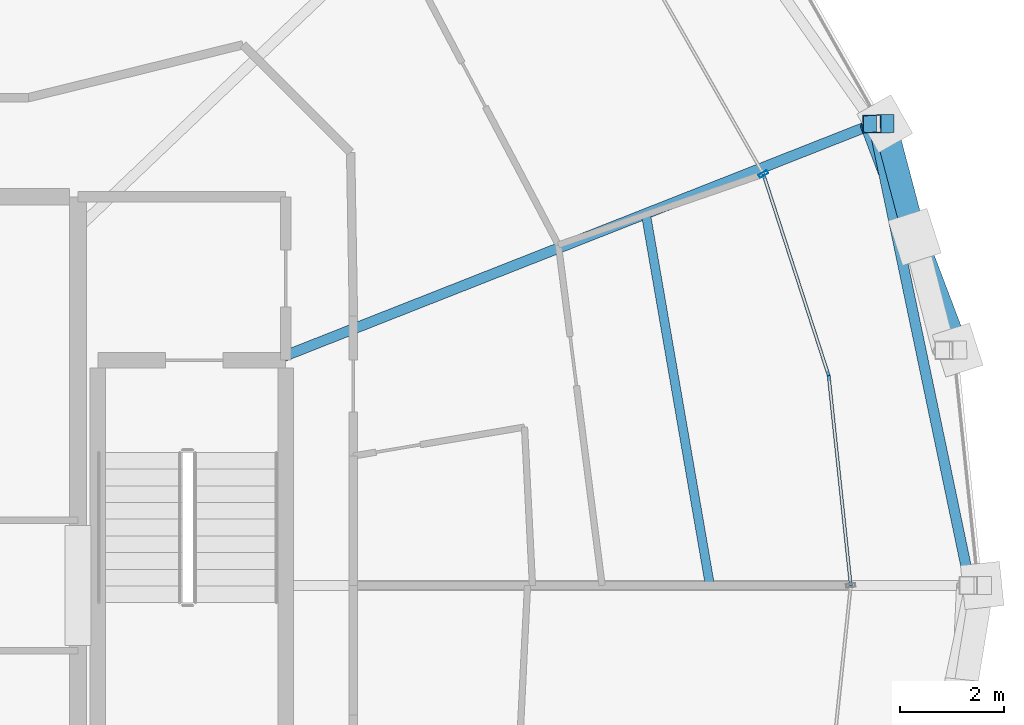
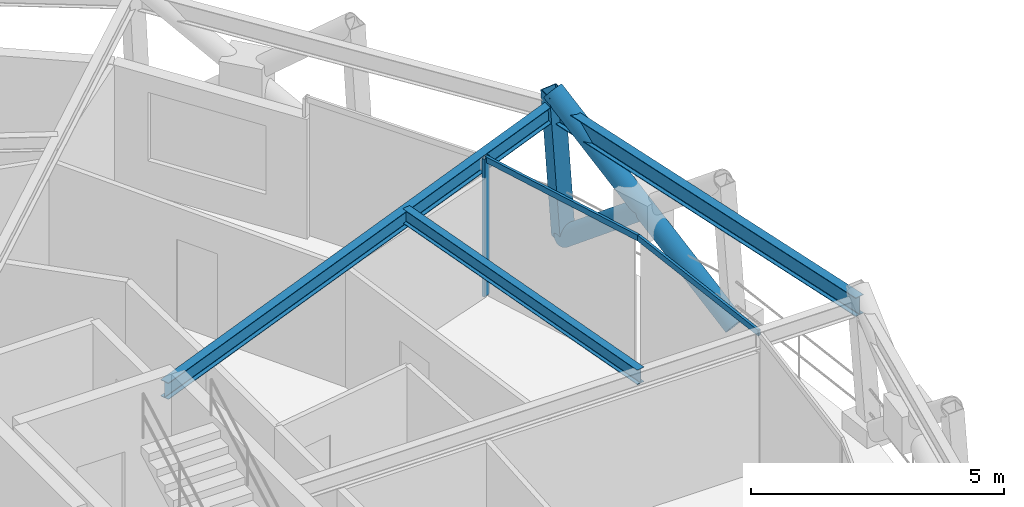
# One storey, part 7 of 17: 6 members, 3 beams, 1 element without a shape of its own.
"""IFC4 building model written with IfcOpenShell, lengths in metres."""

from ifc_helpers import new_model, si_unit, direction, frame, origin, origin_2d, place, context, subcontext, project, spatial, hollow_rectangle, hollow_circle, i_section, extrude, material, layer, layer_set, material_profile, profile_set, type_object, element, aggregate, save


model = new_model("IFC4")

# Units and contexts
model_context = context("Model", 3, precision=1e-05, world=origin(), true_north=direction((0.0, 1.0)))
body_context = subcontext(model_context, "Body", "Model", "MODEL_VIEW")
ifc_project = project(units=[si_unit("LENGTHUNIT", "METRE"), si_unit("AREAUNIT", "SQUARE_METRE"), si_unit("VOLUMEUNIT", "CUBIC_METRE"), si_unit("PLANEANGLEUNIT", "RADIAN"), si_unit("MASSUNIT", "GRAM", prefix="KILO")], contexts=[model_context])

# Site, building, storey
site_placement = place(None, origin())
site = spatial("IfcSite", under=ifc_project, at=site_placement, CompositionType="ELEMENT")
building_placement = place(site_placement, origin())
building = spatial("IfcBuilding", under=site, at=building_placement, Name="Veldorina Hangang Commons", CompositionType="ELEMENT")
storey_placement = place(building_placement, frame((0.0, 0.0, 229.199951171875)))
storey = spatial("IfcBuildingStorey", under=building, at=storey_placement, Name="L59", CompositionType="ELEMENT", Elevation=229.199951171875)

# Beams
ifc_material_1 = material(Name="Steel SM355-TMC", Category="steel")
ifc_material_profile_1 = material_profile(ifc_material_1, i_section(OverallWidth=0.199951171875, OverallDepth=0.39990234375, WebThickness=0.008056640625, FlangeThickness=0.012939453125, FilletRadius=0.012939453125, at=origin_2d()), Name="H-400x200x8x13")
ifc_profile_set_1 = profile_set([ifc_material_profile_1], Name="Steel SM355-TMC")
beam_type_1 = type_object("IfcBeamType", Name="BM-FG400", PredefinedType="BEAM", material=ifc_profile_set_1)
beam_1_placement = place(storey_placement, frame((42.9619140625, 28.320068359375, 3.16015625), z_axis=(0.93036119045, 0.366644317159, 0.0), x_axis=(-0.366644317159, 0.93036119045, 0.0)))
element("IfcBeam", 1, at=beam_1_placement, inside=storey, type_object=beam_type_1, Name="L59 radial floor girder 02", PredefinedType="BEAM", context=body_context, shape_type="SweptSolid", body=[
    extrude(i_section(OverallWidth=0.199951171875, OverallDepth=0.39990234375, WebThickness=0.008056640625, FlangeThickness=0.012939453125, FilletRadius=0.012939453125, at=origin_2d()), origin(), (0.0, 0.0, 1.0), 12.3486328125),
])
ifc_material_profile_2 = material_profile(ifc_material_1, i_section(OverallWidth=0.175048828125, OverallDepth=0.35009765625, WebThickness=0.007080078125, FlangeThickness=0.010986328125, FilletRadius=0.012939453125, at=origin_2d()), Name="H-350x175x7x11")
ifc_profile_set_2 = profile_set([ifc_material_profile_2], Name="Steel SM355-TMC")
beam_type_2 = type_object("IfcBeamType", Name="BM-JST350", PredefinedType="JOIST", material=ifc_profile_set_2)
beam_2_placement = place(storey_placement, frame((51.314697265625, 24.0, 3.18505859375), z_axis=(-0.169996217717, 0.985444714818, 0.0), x_axis=(-0.985444714818, -0.169996217717, 0.0)))
element("IfcBeam", 2, at=beam_2_placement, inside=storey, type_object=beam_type_2, Name="L59 secondary floor joist 01", PredefinedType="JOIST", context=body_context, shape_type="SweptSolid", body=[
    extrude(i_section(OverallWidth=0.175048828125, OverallDepth=0.35009765625, WebThickness=0.007080078125, FlangeThickness=0.010986328125, FilletRadius=0.012939453125, at=origin_2d()), origin(), (0.0, 0.0, 1.0), 7.232421875),
])
ifc_material_profile_3 = material_profile(ifc_material_1, i_section(OverallWidth=0.199951171875, OverallDepth=0.449951171875, WebThickness=0.009033203125, FlangeThickness=0.013916015625, FilletRadius=0.01611328125, at=origin_2d()), Name="H-450x200x9x14")
ifc_profile_set_3 = profile_set([ifc_material_profile_3], Name="Steel SM355-TMC")
beam_type_3 = type_object("IfcBeamType", Name="BM-RB450", PredefinedType="BEAM", material=ifc_profile_set_3)
beam_3_placement = place(storey_placement, frame((56.300537109375, 24.0, 3.135009765625), z_axis=(-0.204653130845, 0.978834560094, 0.0), x_axis=(-0.978834560094, -0.204653130845, 0.0)))
element("IfcBeam", 3, at=beam_3_placement, inside=storey, type_object=beam_type_3, Name="L59 perimeter hoop ring beam 00", PredefinedType="BEAM", context=body_context, shape_type="SweptSolid", body=[
    extrude(i_section(OverallWidth=0.199951171875, OverallDepth=0.449951171875, WebThickness=0.009033203125, FlangeThickness=0.013916015625, FilletRadius=0.01611328125, at=origin_2d()), origin(), (0.0, 0.0, 1.0), 9.0390625),
])

# Curtain wall, members
ifc_material_2 = material(Name="Glass Low-E Selective", Category="glass")
ifc_layer = layer(ifc_material_2, 0.179931640625)
ifc_layer_set = layer_set([ifc_layer], Name="Glass Low-E Selective")
curtain_wall_type = type_object("IfcCurtainWallType", Name="CW-SYS-Z3", PredefinedType="NOTDEFINED", material=ifc_layer_set)
curtain_wall_placement = place(storey_placement, origin())
curtain_wall = element("IfcCurtainWall", 4, at=curtain_wall_placement, inside=storey, type_object=curtain_wall_type, Name="L59 unitised curtain wall CW-L59-R2", PredefinedType="NOTDEFINED")
ifc_material_3 = material(Name="Aluminium Anodized AA6063-T6", Category="aluminium")
ifc_material_profile_4 = material_profile(ifc_material_3, hollow_rectangle(XDim=0.070068359375, YDim=0.179931640625, WallThickness=0.00390625, at=origin_2d()), Name="ALU-RHS-180x70x4")
ifc_profile_set_4 = profile_set([ifc_material_profile_4], Name="Aluminium Anodized AA6063-T6")
member_type_1 = type_object("IfcMemberType", Name="CW-MUL-180", PredefinedType="MULLION", material=ifc_profile_set_4)
member_1_placement = place(storey_placement, frame((52.33837890625, 31.88720703125, 0.0), z_axis=(0.0, 0.0, 1.0), x_axis=(-0.495792162458, 0.868441207938, 0.0)))
member_1 = element("IfcMember", 5, at=member_1_placement, type_object=member_type_1, Name="CW-L59-R2 vertical mullion 3", PredefinedType="MULLION", context=body_context, shape_type="SweptSolid", body=[
    extrude(hollow_rectangle(XDim=0.070068359375, YDim=0.179931640625, WallThickness=0.00390625, at=origin_2d()), origin(), (0.0, 0.0, 1.0), 3.320068359375),
])
ifc_material_profile_5 = material_profile(ifc_material_3, hollow_rectangle(XDim=0.06005859375, YDim=0.139892578125, WallThickness=0.00341796875, at=origin_2d()), Name="ALU-RHS-140x60x3.5")
ifc_profile_set_5 = profile_set([ifc_material_profile_5], Name="Aluminium Anodized AA6063-T6")
member_type_2 = type_object("IfcMemberType", Name="CW-TRN-140", PredefinedType="USERDEFINED", material=ifc_profile_set_5)
member_2_placement = place(storey_placement, frame((54.013916015625, 24.0, 3.280029296875), z_axis=(-0.104584199982, 0.994516035624, 0.0), x_axis=(-0.994516035624, -0.104584199982, 0.0)))
member_2 = element("IfcMember", 6, at=member_2_placement, type_object=member_type_2, Name="CW-L59-R2 facet 3 transom 1", ObjectType="TRANSOM", PredefinedType="USERDEFINED", context=body_context, shape_type="SweptSolid", body=[
    extrude(hollow_rectangle(XDim=0.06005859375, YDim=0.139892578125, WallThickness=0.00341796875, at=origin_2d()), origin(), (0.0, 0.0, 1.0), 4.043212890625),
])
member_3_placement = place(storey_placement, frame((53.591064453125, 28.02099609375, 3.280029296875), z_axis=(-0.308232909187, 0.951310923775, 0.0), x_axis=(-0.951310923775, -0.308232909187, 0.0)))
member_3 = element("IfcMember", 7, at=member_3_placement, type_object=member_type_2, Name="CW-L59-R2 facet 4 transom 1", ObjectType="TRANSOM", PredefinedType="USERDEFINED", context=body_context, shape_type="SweptSolid", body=[
    extrude(hollow_rectangle(XDim=0.06005859375, YDim=0.139892578125, WallThickness=0.00341796875, at=origin_2d()), origin(), (0.0, 0.0, 1.0), 4.064208984375),
])
aggregate(curtain_wall, [member_1, member_2, member_3])

# Members
ifc_material_profile_6 = material_profile(ifc_material_1, hollow_circle(Radius=0.22509765625, WallThickness=0.02197265625, at=origin_2d()), Name="CHS-450x22")
ifc_profile_set_6 = profile_set([ifc_material_profile_6], Name="Steel SM355-TMC")
member_type_3 = type_object("IfcMemberType", Name="DG-CHS450", PredefinedType="BRACE", material=ifc_profile_set_6)
member_4_placement = place(storey_placement, frame((56.0625, 28.512451171875, 0.0), z_axis=(-0.28006016293, 0.738480340511, 0.613362121278), x_axis=(-0.935019805947, -0.354595491351, 0.0)))
element("IfcMember", 8, at=member_4_placement, inside=storey, type_object=member_type_3, Name="L59 continuous perimeter diagrid brace 01", PredefinedType="BRACE", context=body_context, shape_type="SweptSolid", body=[
    extrude(hollow_circle(Radius=0.22509765625, WallThickness=0.02197265625, at=origin_2d()), origin(), (0.0, 0.0, 1.0), 5.869384765625),
])
member_5_placement = place(storey_placement, frame((54.66650390625, 32.8515625, 0.0), z_axis=(0.199263230234, -0.754044637525, 0.625868076911), x_axis=(0.966811974223, 0.255488955726, 0.0)))
element("IfcMember", 9, at=member_5_placement, inside=storey, type_object=member_type_3, Name="L59 split perimeter diagrid lower brace 02", PredefinedType="BRACE", context=body_context, shape_type="SweptSolid", body=[
    extrude(hollow_circle(Radius=0.22509765625, WallThickness=0.02197265625, at=origin_2d()), origin(), (0.0, 0.0, 1.0), 2.8779296875),
])
ifc_material_profile_7 = material_profile(ifc_material_1, hollow_rectangle(XDim=0.35009765625, YDim=0.35009765625, WallThickness=0.01611328125, at=origin_2d()), Name="SHS-350x350x16")
ifc_profile_set_7 = profile_set([ifc_material_profile_7], Name="Steel SM355-TMC")
member_type_4 = type_object("IfcMemberType", Name="STR-SHS350", PredefinedType="STRUT", material=ifc_profile_set_7)
member_6_placement = place(storey_placement, frame((54.66650390625, 32.8515625, 0.0), z_axis=(-0.068669686841, -0.001285442414, 0.997638622822), x_axis=(0.018715932995, -0.999824841586, 0.0)))
element("IfcMember", 10, at=member_6_placement, inside=storey, type_object=member_type_4, Name="L59 perimeter ring node post 02", PredefinedType="STRUT", context=body_context, shape_type="SweptSolid", body=[
    extrude(hollow_rectangle(XDim=0.35009765625, YDim=0.35009765625, WallThickness=0.01611328125, at=origin_2d()), origin(), (0.0, 0.0, 1.0), 3.608642578125),
])

save(model, "model.ifc")
